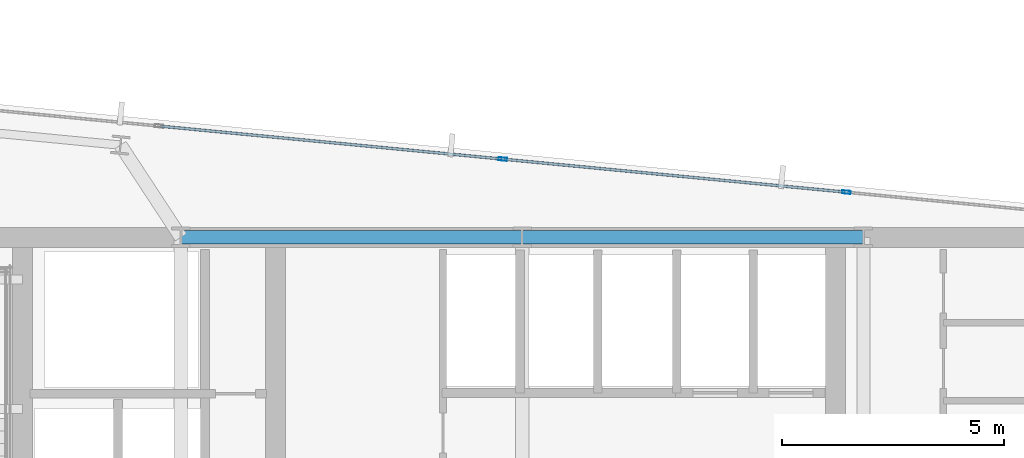
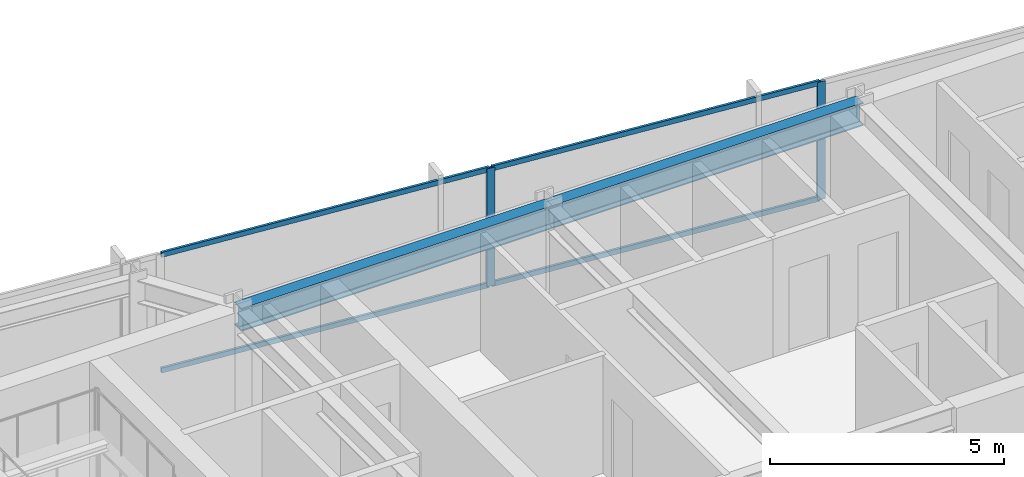
# One storey, part 26 of 37: 6 members, 2 beams, 1 element without a shape of its own.
"""IFC4 building model written with IfcOpenShell, lengths in metres."""

from ifc_helpers import new_model, si_unit, direction, frame, origin, origin_2d, place, context, subcontext, project, spatial, hollow_rectangle, i_section, extrude, material, material_profile, profile_set, type_object, element, aggregate, save


model = new_model("IFC4")

# Units and contexts
model_context = context("Model", 3, precision=1e-05, world=origin(), true_north=direction((0.0, 1.0)))
body_context = subcontext(model_context, "Body", "Model", "MODEL_VIEW")
ifc_project = project(units=[si_unit("LENGTHUNIT", "METRE"), si_unit("AREAUNIT", "SQUARE_METRE"), si_unit("VOLUMEUNIT", "CUBIC_METRE"), si_unit("PLANEANGLEUNIT", "RADIAN"), si_unit("MASSUNIT", "GRAM", prefix="KILO")], contexts=[model_context])

# Site, building, storey
site_placement = place(None, origin())
site = spatial("IfcSite", under=ifc_project, at=site_placement, CompositionType="ELEMENT")
building_placement = place(site_placement, origin())
building = spatial("IfcBuilding", under=site, at=building_placement, Name="Yelkora Congress Tower", CompositionType="ELEMENT")
storey_placement = place(building_placement, frame((0.0, 0.0, 158.89990234375)))
storey = spatial("IfcBuildingStorey", under=building, at=storey_placement, Name="L43", CompositionType="ELEMENT", Elevation=158.89990234375)

# Beams
ifc_material_1 = material(Name="Steel S355J2", Category="steel")
ifc_material_profile_1 = material_profile(ifc_material_1, i_section(OverallWidth=0.300048828125, OverallDepth=0.60009765625, WebThickness=0.015380859375, FlangeThickness=0.030029296875, FilletRadius=0.027099609375, at=origin_2d()), Name="HEB 600")
ifc_profile_set_1 = profile_set([ifc_material_profile_1], Name="Steel S355J2")
beam_type = type_object("IfcBeamType", Name="BM-GIRD-HEB600", PredefinedType="BEAM", material=ifc_profile_set_1)
beam_1_placement = place(storey_placement, frame((30.719970703125, 46.199951171875, 2.780029296875), z_axis=(1.0, 0.0, 0.0), x_axis=(0.0, 1.0, 0.0)))
element("IfcBeam", 1, at=beam_1_placement, inside=storey, type_object=beam_type, Name="L43 Core North Girder 3", PredefinedType="BEAM", context=body_context, shape_type="SweptSolid", body=[
    extrude(i_section(OverallWidth=0.300048828125, OverallDepth=0.60009765625, WebThickness=0.015380859375, FlangeThickness=0.030029296875, FilletRadius=0.027099609375, at=origin_2d()), origin(), (0.0, 0.0, 1.0), 7.679931640625),
])
beam_2_placement = place(storey_placement, frame((38.39990234375, 46.199951171875, 2.780029296875), z_axis=(1.0, 0.0, 0.0), x_axis=(0.0, 1.0, 0.0)))
element("IfcBeam", 2, at=beam_2_placement, inside=storey, type_object=beam_type, Name="L43 Core North Girder 4", PredefinedType="BEAM", context=body_context, shape_type="SweptSolid", body=[
    extrude(i_section(OverallWidth=0.300048828125, OverallDepth=0.60009765625, WebThickness=0.015380859375, FlangeThickness=0.030029296875, FilletRadius=0.027099609375, at=origin_2d()), origin(), (0.0, 0.0, 1.0), 7.68017578125),
])

# Curtain wall, members
ifc_material_2 = material(Name="Anodised aluminium and insulated glass", Category="aluminium")
curtain_wall_type = type_object("IfcCurtainWallType", Name="CW-SYS-B3", PredefinedType="NOTDEFINED", material=ifc_material_2)
curtain_wall_placement = place(storey_placement, origin())
curtain_wall = element("IfcCurtainWall", 3, at=curtain_wall_placement, inside=storey, type_object=curtain_wall_type, Name="L43 Unitised Curtain Wall 10 (1)", PredefinedType="NOTDEFINED")
ifc_material_3 = material(Name="Anodised aluminium 6063-T6", Category="aluminium")
ifc_material_profile_2 = material_profile(ifc_material_3, hollow_rectangle(XDim=0.070068359375, YDim=0.18994140625, WallThickness=0.00390625, at=origin_2d()), Name="ALU 70x190x4")
ifc_profile_set_2 = profile_set([ifc_material_profile_2], Name="Anodised aluminium 6063-T6")
member_type_1 = type_object("IfcMemberType", Name="MEM-ML-B3", PredefinedType="MULLION", material=ifc_profile_set_2)
member_1_placement = place(storey_placement, frame((37.9638671875, 47.958984375, 0.0), z_axis=(0.0, 0.0, 1.0), x_axis=(0.095844761168, 0.995396293823, 0.0)))
member_1 = element("IfcMember", 4, at=member_1_placement, type_object=member_type_1, Name="CW-B3 mullion 5", PredefinedType="MULLION", context=body_context, shape_type="SweptSolid", body=[
    extrude(hollow_rectangle(XDim=0.070068359375, YDim=0.18994140625, WallThickness=0.00390625, at=origin_2d()), origin(), (0.0, 0.0, 1.0), 3.080078125),
])
member_2_placement = place(storey_placement, frame((45.697509765625, 47.21435546875, 0.0), z_axis=(0.0, 0.0, 1.0), x_axis=(0.095844761168, 0.995396293823, 0.0)))
member_2 = element("IfcMember", 5, at=member_2_placement, type_object=member_type_1, Name="CW-B3 mullion 6", PredefinedType="MULLION", context=body_context, shape_type="SweptSolid", body=[
    extrude(hollow_rectangle(XDim=0.070068359375, YDim=0.18994140625, WallThickness=0.00390625, at=origin_2d()), origin(), (0.0, 0.0, 1.0), 3.080078125),
])
ifc_material_profile_3 = material_profile(ifc_material_3, hollow_rectangle(XDim=0.06005859375, YDim=0.1298828125, WallThickness=0.00390625, at=origin_2d()), Name="ALU 60x130x4")
ifc_profile_set_3 = profile_set([ifc_material_profile_3], Name="Anodised aluminium 6063-T6")
member_type_2 = type_object("IfcMemberType", Name="MEM-TR-B3", PredefinedType="USERDEFINED", material=ifc_profile_set_3)
member_3_placement = place(storey_placement, frame((30.26513671875, 48.7001953125, 0.030029296875), z_axis=(0.995398042106, -0.095826602633, 0.0), x_axis=(0.095826602633, 0.995398042106, 0.0)))
member_3 = element("IfcMember", 6, at=member_3_placement, type_object=member_type_2, Name="CW-B3 transom 4.1", ObjectType="TRANSOM", PredefinedType="USERDEFINED", context=body_context, shape_type="SweptSolid", body=[
    extrude(hollow_rectangle(XDim=0.06005859375, YDim=0.1298828125, WallThickness=0.00390625, at=origin_2d()), origin(), (0.0, 0.0, 1.0), 7.69921875),
])
member_4_placement = place(storey_placement, frame((30.26513671875, 48.7001953125, 3.050048828125), z_axis=(0.995398042106, -0.095826602633, 0.0), x_axis=(0.095826602633, 0.995398042106, 0.0)))
member_4 = element("IfcMember", 7, at=member_4_placement, type_object=member_type_2, Name="CW-B3 transom 4.2", ObjectType="TRANSOM", PredefinedType="USERDEFINED", context=body_context, shape_type="SweptSolid", body=[
    extrude(hollow_rectangle(XDim=0.06005859375, YDim=0.1298828125, WallThickness=0.00390625, at=origin_2d()), origin(), (0.0, 0.0, 1.0), 7.69921875),
])
member_5_placement = place(storey_placement, frame((37.998779296875, 47.95556640625, 0.030029296875), z_axis=(0.995398042106, -0.095826602633, 0.0), x_axis=(0.095826602633, 0.995398042106, 0.0)))
member_5 = element("IfcMember", 8, at=member_5_placement, type_object=member_type_2, Name="CW-B3 transom 5.1", ObjectType="TRANSOM", PredefinedType="USERDEFINED", context=body_context, shape_type="SweptSolid", body=[
    extrude(hollow_rectangle(XDim=0.06005859375, YDim=0.1298828125, WallThickness=0.00390625, at=origin_2d()), origin(), (0.0, 0.0, 1.0), 7.69921875),
])
member_6_placement = place(storey_placement, frame((37.998779296875, 47.95556640625, 3.050048828125), z_axis=(0.995398042106, -0.095826602633, 0.0), x_axis=(0.095826602633, 0.995398042106, 0.0)))
member_6 = element("IfcMember", 9, at=member_6_placement, type_object=member_type_2, Name="CW-B3 transom 5.2", ObjectType="TRANSOM", PredefinedType="USERDEFINED", context=body_context, shape_type="SweptSolid", body=[
    extrude(hollow_rectangle(XDim=0.06005859375, YDim=0.1298828125, WallThickness=0.00390625, at=origin_2d()), origin(), (0.0, 0.0, 1.0), 7.69921875),
])
aggregate(curtain_wall, [member_1, member_2, member_3, member_4, member_5, member_6])

save(model, "model.ifc")
